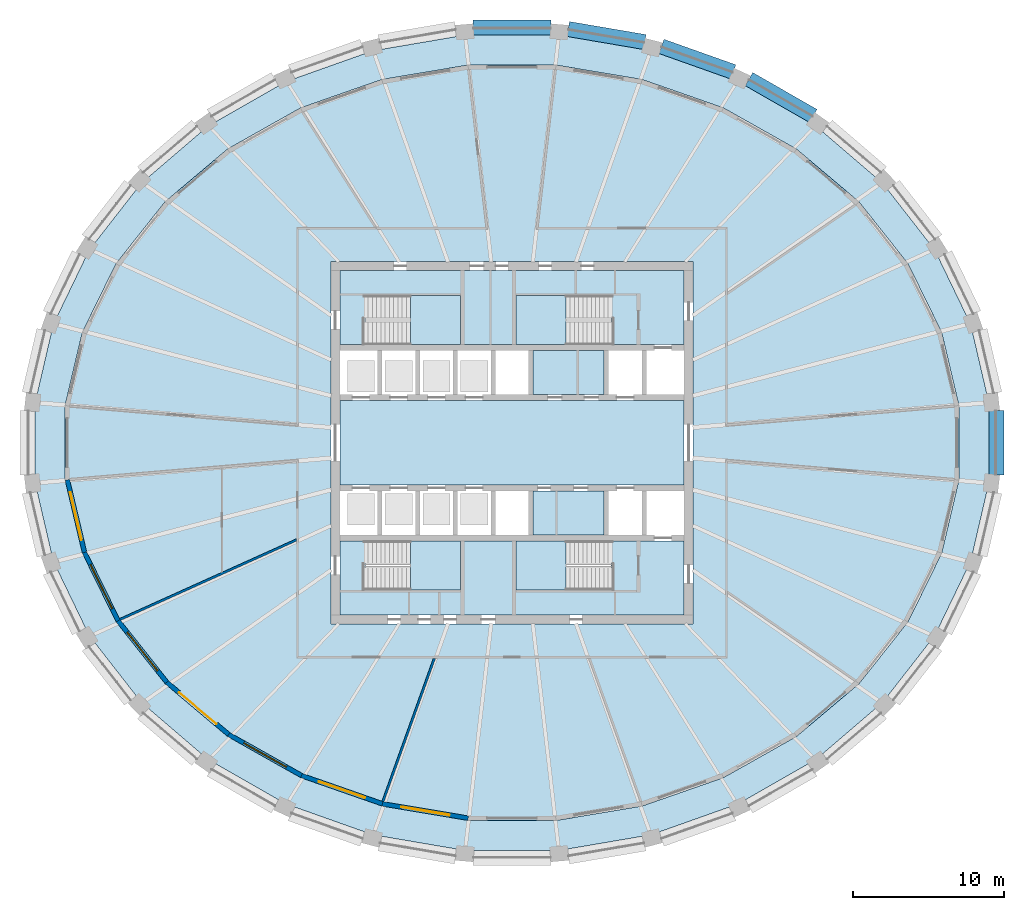
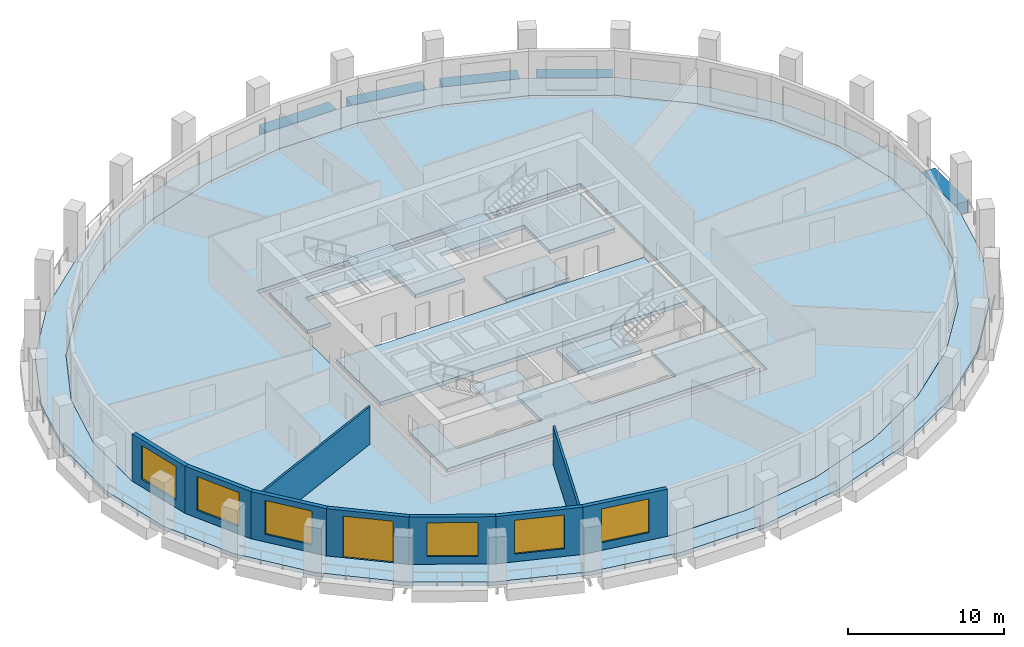
# One storey, part 2 of 10: 11 slabs, 9 walls, 6 windows, 5 beams, 1 door, 7 openings, 4 elements without a shape of their own.
"""IFC4 building model written with IfcOpenShell, lengths in metres."""

from ifc_helpers import new_model, si_unit, direction, frame, frame_2d, origin, origin_2d, place, context, subcontext, project, spatial, polyline, rectangle, outline, extrude, material, layer, layer_set, material_profile, profile_set, type_object, element, fill, aggregate, save


model = new_model("IFC4")

# Units and contexts
model_context = context("Model", 3, precision=1e-05, world=origin(), true_north=direction((0.0, 1.0)))
body_context = subcontext(model_context, "Body", "Model", "MODEL_VIEW")
ifc_project = project(units=[si_unit("LENGTHUNIT", "METRE"), si_unit("AREAUNIT", "SQUARE_METRE"), si_unit("VOLUMEUNIT", "CUBIC_METRE"), si_unit("PLANEANGLEUNIT", "RADIAN"), si_unit("MASSUNIT", "GRAM", prefix="KILO")], contexts=[model_context])

# Site, building, storey
site_placement = place(None, origin())
site = spatial("IfcSite", under=ifc_project, at=site_placement, CompositionType="ELEMENT")
building_placement = place(site_placement, origin())
building = spatial("IfcBuilding", under=site, at=building_placement, Name="Halqa Exchange Tower", CompositionType="ELEMENT")
storey_placement = place(building_placement, frame((0.0, 0.0, 210.89990234375)))
storey = spatial("IfcBuildingStorey", under=building, at=storey_placement, Name="L48", CompositionType="ELEMENT", Elevation=210.89990234375)

# Beams
ifc_material_1 = material(Name="Concrete C60/75", Category="concrete")
ifc_material_profile = material_profile(ifc_material_1, rectangle(XDim=1.0, YDim=0.89990234375, at=origin_2d()), Name="1000 x 900")
ifc_profile_set = profile_set([ifc_material_profile], Name="Concrete C60/75")
beam_type = type_object("IfcBeamType", Name="RC spandrel beam 1000 x 900 C60/75", PredefinedType="SPANDREL", material=ifc_profile_set)
beam_1_placement = place(storey_placement, frame((19.951416015625, 21.6455078125, -0.449951171875), z_axis=(-0.867758828844, 0.496985527921, 0.0), x_axis=(-0.496985527921, -0.867758828844, 0.0)))
element("IfcBeam", 1, at=beam_1_placement, inside=storey, type_object=beam_type, Name="Spandrel 5", PredefinedType="SPANDREL", context=body_context, shape_type="SweptSolid", body=[
    extrude(rectangle(XDim=1.0, YDim=0.89990234375, at=origin_2d()), origin(), (0.0, 0.0, 1.0), 4.905517578125),
])
beam_2_placement = place(storey_placement, frame((14.656005859375, 24.560546875, -0.449951171875), z_axis=(-0.942356423525, 0.334610775442, 0.0), x_axis=(-0.334610775442, -0.942356423525, 0.0)))
element("IfcBeam", 2, at=beam_2_placement, inside=storey, type_object=beam_type, Name="Spandrel 6", PredefinedType="SPANDREL", context=body_context, shape_type="SweptSolid", body=[
    extrude(rectangle(XDim=1.0, YDim=0.89990234375, at=origin_2d()), origin(), (0.0, 0.0, 1.0), 5.047607421875),
])
beam_3_placement = place(storey_placement, frame((8.7919921875, 26.5380859375, -0.449951171875), z_axis=(-0.985769464363, 0.168102834982, 0.0), x_axis=(-0.168102834982, -0.985769464363, 0.0)))
element("IfcBeam", 3, at=beam_3_placement, inside=storey, type_object=beam_type, Name="Spandrel 7", PredefinedType="SPANDREL", context=body_context, shape_type="SweptSolid", body=[
    extrude(rectangle(XDim=1.0, YDim=0.89990234375, at=origin_2d()), origin(), (0.0, 0.0, 1.0), 5.139892578125),
])
beam_4_placement = place(storey_placement, frame((2.586181640625, 27.498291015625, -0.449951171875), z_axis=(-1.0, 0.0, 0.0), x_axis=(0.0, -1.0, 0.0)))
element("IfcBeam", 4, at=beam_4_placement, inside=storey, type_object=beam_type, Name="Spandrel 8", PredefinedType="SPANDREL", context=body_context, shape_type="SweptSolid", body=[
    extrude(rectangle(XDim=1.0, YDim=0.89990234375, at=origin_2d()), origin(), (0.0, 0.0, 1.0), 5.17236328125),
])
beam_5_placement = place(storey_placement, frame((32.08154296875, -2.131591796875, -0.449951171875), z_axis=(0.0, 1.0, 0.0), x_axis=(-1.0, 0.0, 0.0)))
element("IfcBeam", 5, at=beam_5_placement, inside=storey, type_object=beam_type, Name="Spandrel 32", PredefinedType="SPANDREL", context=body_context, shape_type="SweptSolid", body=[
    extrude(rectangle(XDim=1.0, YDim=0.89990234375, at=origin_2d()), origin(), (0.0, 0.0, 1.0), 4.26318359375),
])

# Slabs
ifc_layer_1 = layer(ifc_material_1, 0.300048828125)
ifc_layer_set_1 = layer_set([ifc_layer_1], Name="Concrete C60/75")
slab_type_1 = type_object("IfcSlabType", Name="Core floor slab 300", PredefinedType="FLOOR", material=ifc_layer_set_1)
slab_1_placement = place(storey_placement, frame((0.0, 0.0, -0.2998046875)))
element("IfcSlab", 6, at=slab_1_placement, inside=storey, type_object=slab_type_1, Name="Core floor slab", PredefinedType="FLOOR", context=body_context, shape_type="SweptSolid", body=[
    extrude(outline(polyline([(-11.39990234375, 2.800048828125), (11.39990234375, 2.800048828125), (11.39990234375, -2.800048828125), (-11.39990234375, -2.800048828125), (-11.39990234375, 2.800048828125)])), origin(), (0.0, 0.0, 1.0), 0.2998046875),
])
slab_2_placement = place(storey_placement, frame((0.0, 0.0, -0.2998046875)))
element("IfcSlab", 7, at=slab_2_placement, inside=storey, type_object=slab_type_1, Name="Core floor slab", PredefinedType="FLOOR", context=body_context, shape_type="SweptSolid", body=[
    extrude(outline(polyline([(-11.39990234375, 11.39990234375), (11.39990234375, 11.39990234375), (11.39990234375, 6.5), (6.550048828125, 6.5), (6.550048828125, 9.75), (0.25, 9.75), (0.25, 6.5), (-3.39990234375, 6.5), (-3.39990234375, 9.75), (-9.699951171875, 9.75), (-9.699951171875, 6.5), (-11.39990234375, 6.5), (-11.39990234375, 11.39990234375)])), origin(), (0.0, 0.0, 1.0), 0.2998046875),
])
slab_3_placement = place(storey_placement, frame((0.0, 0.0, -0.2998046875)))
element("IfcSlab", 8, at=slab_3_placement, inside=storey, type_object=slab_type_1, Name="Core floor slab", PredefinedType="FLOOR", context=body_context, shape_type="SweptSolid", body=[
    extrude(outline(polyline([(-9.699951171875, -9.75), (-3.39990234375, -9.75), (-3.39990234375, -6.5), (0.25, -6.5), (0.25, -9.75), (6.550048828125, -9.75), (6.550048828125, -6.5), (11.39990234375, -6.5), (11.39990234375, -11.39990234375), (-11.39990234375, -11.39990234375), (-11.39990234375, -6.5), (-9.699951171875, -6.5), (-9.699951171875, -9.75)])), origin(), (0.0, 0.0, 1.0), 0.2998046875),
])
slab_4_placement = place(storey_placement, frame((0.0, 0.0, -0.2998046875)))
element("IfcSlab", 9, at=slab_4_placement, inside=storey, type_object=slab_type_1, Name="Core floor slab", PredefinedType="FLOOR", context=body_context, shape_type="SweptSolid", body=[
    extrude(outline(polyline([(6.10009765625, -3.199951171875), (6.10009765625, -6.10009765625), (1.39990234375, -6.10009765625), (1.39990234375, -3.199951171875), (6.10009765625, -3.199951171875)])), origin(), (0.0, 0.0, 1.0), 0.2998046875),
])
slab_5_placement = place(storey_placement, frame((0.0, 0.0, -0.2998046875)))
element("IfcSlab", 10, at=slab_5_placement, inside=storey, type_object=slab_type_1, Name="Core floor slab", PredefinedType="FLOOR", context=body_context, shape_type="SweptSolid", body=[
    extrude(outline(polyline([(6.10009765625, 6.10009765625), (6.10009765625, 3.199951171875), (1.39990234375, 3.199951171875), (1.39990234375, 6.10009765625), (6.10009765625, 6.10009765625)])), origin(), (0.0, 0.0, 1.0), 0.2998046875),
])
ifc_material_2 = material(Name="Concrete C40/50", Category="concrete")
ifc_layer_2 = layer(ifc_material_2, 0.300048828125)
ifc_layer_set_2 = layer_set([ifc_layer_2], Name="Concrete C40/50")
slab_type_2 = type_object("IfcSlabType", Name="RC floor slab 300", PredefinedType="FLOOR", material=ifc_layer_set_2)
slab_6_placement = place(storey_placement, frame((0.0, 0.0, -0.2998046875)))
element("IfcSlab", 11, at=slab_6_placement, inside=storey, type_object=slab_type_2, Name="Floor slab", PredefinedType="FLOOR", context=body_context, shape_type="SweptSolid", body=[
    extrude(outline(polyline([(29.59521484375, 2.46875), (28.45361328125, 7.31005859375), (26.216064453125, 11.86669921875), (22.971435546875, 15.962890625), (18.846435546875, 19.4423828125), (14.00048828125, 22.173828125), (8.619873046875, 24.053955078125), (2.910400390625, 25.011962890625), (-2.910400390625, 25.011962890625), (-8.619873046875, 24.053955078125), (-14.00048828125, 22.173828125), (-18.846435546875, 19.4423828125), (-22.971435546875, 15.962890625), (-26.216064453125, 11.86669921875), (-28.45361328125, 7.31005859375), (-29.59521484375, 2.46875), (-29.59521484375, -2.46875), (-28.45361328125, -7.31005859375), (-26.216064453125, -11.86669921875), (-22.971435546875, -15.962890625), (-18.846435546875, -19.4423828125), (-14.00048828125, -22.173828125), (-8.619873046875, -24.053955078125), (-2.910400390625, -25.011962890625), (2.910400390625, -25.011962890625), (8.619873046875, -24.053955078125), (14.00048828125, -22.173828125), (18.846435546875, -19.4423828125), (22.971435546875, -15.962890625), (26.216064453125, -11.86669921875), (28.45361328125, -7.31005859375), (29.59521484375, -2.46875), (29.59521484375, 2.46875)]), holes=[polyline([(-12.0, -12.0), (12.0, -12.0), (12.0, 12.0), (-12.0, 12.0), (-12.0, -12.0)])]), origin(), (0.0, 0.0, 1.0), 0.2998046875),
])
ifc_layer_3 = layer(ifc_material_2, 0.300048828125)
ifc_layer_set_3 = layer_set([ifc_layer_3], Name="Concrete C40/50")
slab_type_3 = type_object("IfcSlabType", Name="RC loggia slab 300", PredefinedType="FLOOR", material=ifc_layer_set_3)
slab_7_placement = place(storey_placement, frame((0.0, 0.0, -0.2998046875)))
element("IfcSlab", 12, at=slab_7_placement, inside=storey, type_object=slab_type_3, Name="Loggia slab", PredefinedType="FLOOR", context=body_context, shape_type="SweptSolid", body=[
    extrude(outline(polyline([(31.58154296875, 2.651123046875), (31.58154296875, -2.651123046875), (30.374267578125, -7.853759765625), (28.00341796875, -12.760009765625), (24.555908203125, -17.18212890625), (20.161376953125, -20.948974609375), (14.98681640625, -23.91259765625), (9.231201171875, -25.9560546875), (3.117431640625, -26.998291015625), (-3.117431640625, -26.998291015625), (-9.231201171875, -25.9560546875), (-14.98681640625, -23.91259765625), (-20.161376953125, -20.948974609375), (-24.555908203125, -17.18212890625), (-28.00341796875, -12.760009765625), (-30.374267578125, -7.853759765625), (-31.58154296875, -2.651123046875), (-31.58154296875, 2.651123046875), (-30.374267578125, 7.853759765625), (-28.00341796875, 12.760009765625), (-24.555908203125, 17.18212890625), (-20.161376953125, 20.948974609375), (-14.98681640625, 23.91259765625), (-9.231201171875, 25.9560546875), (-3.117431640625, 26.998291015625), (3.117431640625, 26.998291015625), (9.231201171875, 25.9560546875), (14.98681640625, 23.91259765625), (20.161376953125, 20.948974609375), (24.555908203125, 17.18212890625), (28.00341796875, 12.760009765625), (30.374267578125, 7.853759765625), (31.58154296875, 2.651123046875)]), holes=[polyline([(29.59521484375, 2.46875), (28.45361328125, 7.31005859375), (26.216064453125, 11.86669921875), (22.971435546875, 15.962890625), (18.846435546875, 19.4423828125), (14.00048828125, 22.173828125), (8.619873046875, 24.053955078125), (2.910400390625, 25.011962890625), (-2.910400390625, 25.011962890625), (-8.619873046875, 24.053955078125), (-14.00048828125, 22.173828125), (-18.846435546875, 19.4423828125), (-22.971435546875, 15.962890625), (-26.216064453125, 11.86669921875), (-28.45361328125, 7.31005859375), (-29.59521484375, 2.46875), (-29.59521484375, -2.46875), (-28.45361328125, -7.31005859375), (-26.216064453125, -11.86669921875), (-22.971435546875, -15.962890625), (-18.846435546875, -19.4423828125), (-14.00048828125, -22.173828125), (-8.619873046875, -24.053955078125), (-2.910400390625, -25.011962890625), (2.910400390625, -25.011962890625), (8.619873046875, -24.053955078125), (14.00048828125, -22.173828125), (18.846435546875, -19.4423828125), (22.971435546875, -15.962890625), (26.216064453125, -11.86669921875), (28.45361328125, -7.31005859375), (29.59521484375, -2.46875), (29.59521484375, 2.46875)])]), origin(), (0.0, 0.0, 1.0), 0.2998046875),
])

# Stair, slab
ifc_material_3 = material(Name="Concrete C30/37", Category="concrete")
stair_type = type_object("IfcStairType", Name="Exit stair 1500 wide", PredefinedType="HALF_TURN_STAIR", material=ifc_material_3)
stair_1_placement = place(storey_placement, origin())
stair_1 = element("IfcStair", 13, at=stair_1_placement, inside=storey, type_object=stair_type, Name="Exit stair ST1", PredefinedType="HALF_TURN_STAIR")
ifc_layer_4 = layer(ifc_material_3, 0.199951171875)
ifc_layer_set_4 = layer_set([ifc_layer_4], Name="Concrete C30/37")
slab_type_4 = type_object("IfcSlabType", Name="Stair landing 200 slab", PredefinedType="LANDING", material=ifc_layer_set_4)
slab_8_placement = place(storey_placement, frame((0.0, 0.0, 1.800048828125)))
slab_8 = element("IfcSlab", 14, at=slab_8_placement, type_object=slab_type_4, Name="ST1 landing 1", PredefinedType="LANDING", context=body_context, shape_type="SweptSolid", body=[
    extrude(outline(polyline([(-6.719970703125, 6.5), (-3.39990234375, 6.5), (-3.39990234375, 9.75), (-6.719970703125, 9.75), (-6.719970703125, 6.5)])), origin(), (0.0, 0.0, 1.0), 0.199951171875),
])
aggregate(stair_1, [slab_8])

stair_2_placement = place(storey_placement, origin())
stair_2 = element("IfcStair", 15, at=stair_2_placement, inside=storey, type_object=stair_type, Name="Exit stair ST2", PredefinedType="HALF_TURN_STAIR")
slab_9_placement = place(storey_placement, frame((0.0, 0.0, 1.800048828125)))
slab_9 = element("IfcSlab", 16, at=slab_9_placement, type_object=slab_type_4, Name="ST2 landing 1", PredefinedType="LANDING", context=body_context, shape_type="SweptSolid", body=[
    extrude(outline(polyline([(0.25, 6.5), (3.570068359375, 6.5), (3.570068359375, 9.75), (0.25, 9.75), (0.25, 6.5)])), origin(), (0.0, 0.0, 1.0), 0.199951171875),
])
aggregate(stair_2, [slab_9])

stair_3_placement = place(storey_placement, origin())
stair_3 = element("IfcStair", 17, at=stair_3_placement, inside=storey, type_object=stair_type, Name="Exit stair ST3", PredefinedType="HALF_TURN_STAIR")
slab_10_placement = place(storey_placement, frame((0.0, 0.0, 1.800048828125)))
slab_10 = element("IfcSlab", 18, at=slab_10_placement, type_object=slab_type_4, Name="ST3 landing 1", PredefinedType="LANDING", context=body_context, shape_type="SweptSolid", body=[
    extrude(outline(polyline([(-6.719970703125, -9.75), (-3.39990234375, -9.75), (-3.39990234375, -6.5), (-6.719970703125, -6.5), (-6.719970703125, -9.75)])), origin(), (0.0, 0.0, 1.0), 0.199951171875),
])
aggregate(stair_3, [slab_10])

stair_4_placement = place(storey_placement, origin())
stair_4 = element("IfcStair", 19, at=stair_4_placement, inside=storey, type_object=stair_type, Name="Exit stair ST4", PredefinedType="HALF_TURN_STAIR")
slab_11_placement = place(storey_placement, frame((0.0, 0.0, 1.800048828125)))
slab_11 = element("IfcSlab", 20, at=slab_11_placement, type_object=slab_type_4, Name="ST4 landing 1", PredefinedType="LANDING", context=body_context, shape_type="SweptSolid", body=[
    extrude(outline(polyline([(0.25, -9.75), (3.570068359375, -9.75), (3.570068359375, -6.5), (0.25, -6.5), (0.25, -9.75)])), origin(), (0.0, 0.0, 1.0), 0.199951171875),
])
aggregate(stair_4, [slab_11])

# Walls
ifc_material_4 = material(Name="Fire-rated gypsum board")
ifc_layer_5 = layer(ifc_material_4, 0.14990234375)
ifc_layer_set_5 = layer_set([ifc_layer_5], Name="Fire-rated gypsum board")
wall_type_1 = type_object("IfcWallType", Name="Fire partition EI 60 150", PredefinedType="PARTITIONING", material=ifc_layer_set_5)
wall_1_placement = place(storey_placement, frame((-25.96337890625, -11.705078125, 0.0), z_axis=(0.0, 0.0, 1.0), x_axis=(0.911586477794, 0.41110837197, 0.0)))
element("IfcWall", 21, at=wall_1_placement, inside=storey, type_object=wall_type_1, Name="L48-PWL-003", PredefinedType="PARTITIONING", context=body_context, shape_type="SweptSolid", body=[
    extrude(outline(polyline([(0.0205078125, -0.074951171875), (1.844482421875, -0.074951171875), (3.66845703125, -0.074951171875), (5.492431640625, -0.074951171875), (7.31640625, -0.074951171875), (9.140380859375, -0.074951171875), (10.96435546875, -0.074951171875), (12.788330078125, -0.074951171875), (12.855712890625, 0.074951171875), (11.0732421875, 0.074951171875), (9.29052734375, 0.074951171875), (7.508056640625, 0.074951171875), (7.507080078125, 0.07275390625), (7.502197265625, 0.074951171875), (5.626708984375, 0.074951171875), (3.751220703125, 0.074951171875), (1.87548828125, 0.074951171875), (0.0, 0.074951171875), (0.0, 0.06201171875), (0.002197265625, -0.00146484375), (0.0205078125, -0.074951171875)])), origin(), (0.0, 0.0, 1.0), 2.947021484375),
])
wall_2_placement = place(storey_placement, frame((-5.1279296875, -14.25, 0.0), z_axis=(0.0, 0.0, 1.0), x_axis=(-0.338529589418, -0.940955746615, 0.0)))
element("IfcWall", 22, at=wall_2_placement, inside=storey, type_object=wall_type_1, Name="L48-PWL-011", PredefinedType="PARTITIONING", context=body_context, shape_type="SweptSolid", body=[
    extrude(outline(polyline([(10.108154296875, -0.074951171875), (10.108154296875, -0.07177734375), (10.107421875, 0.0048828125), (10.0947265625, 0.074951171875), (8.412353515625, 0.074951171875), (6.729736328125, 0.074951171875), (5.04736328125, 0.074951171875), (3.364990234375, 0.074951171875), (1.682373046875, 0.074951171875), (0.0, 0.074951171875), (0.0, 0.07373046875), (0.053466796875, -0.074951171875), (1.729248046875, -0.074951171875), (3.405029296875, -0.074951171875), (5.080810546875, -0.074951171875), (6.756591796875, -0.074951171875), (8.432373046875, -0.074951171875), (10.108154296875, -0.074951171875)])), origin(), (0.0, 0.0, 1.0), 2.947021484375),
])

# Wall, opening, window
ifc_material_5 = material(Name="Limestone cladding", Category="masonry")
ifc_layer_6 = layer(ifc_material_5, 0.0400390625)
ifc_material_6 = material(Name="Ventilated cavity")
ifc_layer_7 = layer(ifc_material_6, 0.030029296875, ventilated=True)
ifc_material_7 = material(Name="Mineral wool insulation")
ifc_layer_8 = layer(ifc_material_7, 0.10009765625)
ifc_layer_9 = layer(ifc_material_3, 0.10009765625)
ifc_material_8 = material(Name="Internal plaster")
ifc_layer_10 = layer(ifc_material_8, 0.030029296875)
ifc_layer_set_6 = layer_set([ifc_layer_6, ifc_layer_7, ifc_layer_8, ifc_layer_9, ifc_layer_10], Name="Stone-faced insulated wall 300")
wall_type_2 = type_object("IfcWallType", Name="Stone-faced insulated wall 300", PredefinedType="STANDARD", material=ifc_layer_set_6)
wall_3_placement = place(storey_placement, frame((-29.445068359375, -2.451416015625, 0.0), z_axis=(0.0, 0.0, 1.0), x_axis=(0.229535186351, -0.973300363828, 0.0)))
wall_3 = element("IfcWall", 23, at=wall_3_placement, inside=storey, type_object=wall_type_2, Name="Glass-line wall 17", PredefinedType="STANDARD", context=body_context, shape_type="SweptSolid", body=[
    extrude(outline(polyline([(-0.017333984375, -0.14990234375), (4.956298828125, -0.14990234375), (4.922607421875, 0.14990234375), (0.017333984375, 0.14990234375), (-0.017333984375, -0.14990234375)])), origin(), (0.0, 0.0, 1.0), 3.7001953125),
])
opening_1_placement = place(wall_3_placement, frame((0.8447265625, 0.0, 0.60009765625)))
opening_1 = element("IfcOpeningElement", 24, at=opening_1_placement, cuts=wall_3, Name="Opening W-F3-17", PredefinedType="OPENING", context=body_context, shape_type="SweptSolid", body=[
    extrude(rectangle(XDim=3.25, YDim=2.64990234375, at=frame_2d((1.625, 1.324951171875))), frame((0.0, 0.162109375, 0.0), z_axis=(0.0, -1.0, 0.0), x_axis=(1.0, 0.0, 0.0)), (0.0, 0.0, 1.0), 0.323974609375),
])
ifc_material_9 = material(Name="Clear low-emissivity glass in aluminium frame", Category="aluminium")
window_type = type_object("IfcWindowType", Name="Fixed clear glazed window 3250 x 2650", PartitioningType="TRIPLE_PANEL_VERTICAL", PredefinedType="WINDOW", material=ifc_material_9)
window_1_placement = place(opening_1_placement, origin())
window_1 = element("IfcWindow", 25, at=window_1_placement, inside=storey, type_object=window_type, Name="Window 3", OverallHeight=2.64990234375, OverallWidth=3.25, PartitioningType="TRIPLE_PANEL_VERTICAL", PredefinedType="WINDOW", context=body_context, shape_type="SweptSolid", body=[
    extrude(rectangle(XDim=3.25, YDim=2.64990234375, at=frame_2d((1.625, 1.324951171875))), frame((0.0, 0.030029296875, 0.0), z_axis=(0.0, -1.0, 0.0), x_axis=(1.0, 0.0, 0.0)), (0.0, 0.0, 1.0), 0.06005859375),
])
fill(opening_1, window_1)

wall_4_placement = place(storey_placement, frame((-28.311279296875, -7.259033203125, 0.0), z_axis=(0.0, 0.0, 1.0), x_axis=(0.440773193145, -0.89761851151, 0.0)))
wall_4 = element("IfcWall", 26, at=wall_4_placement, inside=storey, type_object=wall_type_2, Name="Glass-line wall 18", PredefinedType="STANDARD", context=body_context, shape_type="SweptSolid", body=[
    extrude(outline(polyline([(-0.016845703125, -0.14990234375), (5.059326171875, -0.14990234375), (5.027099609375, 0.14990234375), (0.016845703125, 0.14990234375), (-0.016845703125, -0.14990234375)])), origin(), (0.0, 0.0, 1.0), 3.7001953125),
])
opening_2_placement = place(wall_4_placement, frame((0.896484375, 0.0, 0.60009765625)))
opening_2 = element("IfcOpeningElement", 27, at=opening_2_placement, cuts=wall_4, Name="Opening W-F3-18", PredefinedType="OPENING", context=body_context, shape_type="SweptSolid", body=[
    extrude(rectangle(XDim=3.25, YDim=2.64990234375, at=frame_2d((1.625, 1.324951171875))), frame((0.0, 0.162109375, 0.0), z_axis=(0.0, -1.0, 0.0), x_axis=(1.0, 0.0, 0.0)), (0.0, 0.0, 1.0), 0.323974609375),
])
window_2_placement = place(opening_2_placement, origin())
window_2 = element("IfcWindow", 28, at=window_2_placement, inside=storey, type_object=window_type, Name="Window 3", OverallHeight=2.64990234375, OverallWidth=3.25, PartitioningType="TRIPLE_PANEL_VERTICAL", PredefinedType="WINDOW", context=body_context, shape_type="SweptSolid", body=[
    extrude(rectangle(XDim=3.25, YDim=2.64990234375, at=frame_2d((1.625, 1.324951171875))), frame((0.0, 0.030029296875, 0.0), z_axis=(0.0, -1.0, 0.0), x_axis=(1.0, 0.0, 0.0)), (0.0, 0.0, 1.0), 0.06005859375),
])
fill(opening_2, window_2)

wall_5_placement = place(storey_placement, frame((-26.08837890625, -11.785888671875, 0.0), z_axis=(0.0, 0.0, 1.0), x_axis=(0.620870264345, -0.783913333763, 0.0)))
wall_5 = element("IfcWall", 29, at=wall_5_placement, inside=storey, type_object=wall_type_2, Name="Glass-line wall 19", PredefinedType="STANDARD", context=body_context, shape_type="SweptSolid", body=[
    extrude(outline(polyline([(-0.01611328125, -0.14990234375), (5.209716796875, -0.14990234375), (5.179443359375, 0.14990234375), (0.01611328125, 0.14990234375), (-0.01611328125, -0.14990234375)])), origin(), (0.0, 0.0, 1.0), 3.7001953125),
])
opening_3_placement = place(wall_5_placement, frame((0.97216796875, 0.0, 0.60009765625)))
opening_3 = element("IfcOpeningElement", 30, at=opening_3_placement, cuts=wall_5, Name="Opening W-F3-19", PredefinedType="OPENING", context=body_context, shape_type="SweptSolid", body=[
    extrude(rectangle(XDim=3.25, YDim=2.64990234375, at=frame_2d((1.625, 1.324951171875))), frame((0.0, 0.162109375, 0.0), z_axis=(0.0, -1.0, 0.0), x_axis=(1.0, 0.0, 0.0)), (0.0, 0.0, 1.0), 0.323974609375),
])
window_3_placement = place(opening_3_placement, origin())
window_3 = element("IfcWindow", 31, at=window_3_placement, inside=storey, type_object=window_type, Name="Window 3", OverallHeight=2.64990234375, OverallWidth=3.25, PartitioningType="TRIPLE_PANEL_VERTICAL", PredefinedType="WINDOW", context=body_context, shape_type="SweptSolid", body=[
    extrude(rectangle(XDim=3.25, YDim=2.64990234375, at=frame_2d((1.625, 1.324951171875))), frame((0.0, 0.030029296875, 0.0), z_axis=(0.0, -1.0, 0.0), x_axis=(1.0, 0.0, 0.0)), (0.0, 0.0, 1.0), 0.06005859375),
])
fill(opening_3, window_3)

# Wall, opening, door
wall_6_placement = place(storey_placement, frame((-22.86328125, -15.85791015625, 0.0), z_axis=(0.0, 0.0, 1.0), x_axis=(0.764386053229, -0.6447588399, 0.0)))
wall_6 = element("IfcWall", 32, at=wall_6_placement, inside=storey, type_object=wall_type_2, Name="Glass-line wall 20", PredefinedType="STANDARD", context=body_context, shape_type="SweptSolid", body=[
    extrude(outline(polyline([(-0.01513671875, -0.14990234375), (5.381591796875, -0.14990234375), (5.353271484375, 0.14990234375), (0.01513671875, 0.14990234375), (-0.01513671875, -0.14990234375)])), origin(), (0.0, 0.0, 1.0), 3.7001953125),
])
opening_4_placement = place(wall_6_placement, frame((1.058837890625, 0.0, 0.0)))
opening_4 = element("IfcOpeningElement", 33, at=opening_4_placement, cuts=wall_6, Name="Opening LG-F3-05", PredefinedType="OPENING", context=body_context, shape_type="SweptSolid", body=[
    extrude(rectangle(XDim=3.25, YDim=3.25, at=frame_2d((1.625, 1.625))), frame((0.0, 0.162109375, 0.0), z_axis=(0.0, -1.0, 0.0), x_axis=(1.0, 0.0, 0.0)), (0.0, 0.0, 1.0), 0.323974609375),
])
door_type = type_object("IfcDoorType", Name="Glazed sliding loggia door 3250 x 3250", OperationType="DOUBLE_DOOR_SLIDING", PredefinedType="DOOR", material=ifc_material_9)
door_placement = place(opening_4_placement, origin())
door = element("IfcDoor", 34, at=door_placement, inside=storey, type_object=door_type, Name="Loggia door 5", OperationType="DOUBLE_DOOR_SLIDING", OverallHeight=3.25, OverallWidth=3.25, PredefinedType="DOOR", context=body_context, shape_type="SweptSolid", body=[
    extrude(rectangle(XDim=3.25, YDim=3.25, at=frame_2d((1.625, 1.625))), frame((0.0, 0.02490234375, 0.0), z_axis=(0.0, -1.0, 0.0), x_axis=(1.0, 0.0, 0.0)), (0.0, 0.0, 1.0), 0.050048828125),
])
fill(opening_4, door)

# Wall, opening, window
wall_7_placement = place(storey_placement, frame((-18.760498046875, -19.318603515625, 0.0), z_axis=(0.0, 0.0, 1.0), x_axis=(0.871140546168, -0.491033755278, 0.0)))
wall_7 = element("IfcWall", 35, at=wall_7_placement, inside=storey, type_object=wall_type_2, Name="Glass-line wall 21", PredefinedType="STANDARD", context=body_context, shape_type="SweptSolid", body=[
    extrude(outline(polyline([(-0.01416015625, -0.14990234375), (5.548828125, -0.14990234375), (5.52197265625, 0.14990234375), (0.01416015625, 0.14990234375), (-0.01416015625, -0.14990234375)])), origin(), (0.0, 0.0, 1.0), 3.7001953125),
])
opening_5_placement = place(wall_7_placement, frame((1.142578125, 0.0, 0.60009765625)))
opening_5 = element("IfcOpeningElement", 36, at=opening_5_placement, cuts=wall_7, Name="Opening W-F3-21", PredefinedType="OPENING", context=body_context, shape_type="SweptSolid", body=[
    extrude(rectangle(XDim=3.25, YDim=2.64990234375, at=frame_2d((1.625, 1.324951171875))), frame((0.0, 0.162109375, 0.0), z_axis=(0.0, -1.0, 0.0), x_axis=(1.0, 0.0, 0.0)), (0.0, 0.0, 1.0), 0.323974609375),
])
window_4_placement = place(opening_5_placement, origin())
window_4 = element("IfcWindow", 37, at=window_4_placement, inside=storey, type_object=window_type, Name="Window 3", OverallHeight=2.64990234375, OverallWidth=3.25, PartitioningType="TRIPLE_PANEL_VERTICAL", PredefinedType="WINDOW", context=body_context, shape_type="SweptSolid", body=[
    extrude(rectangle(XDim=3.25, YDim=2.64990234375, at=frame_2d((1.625, 1.324951171875))), frame((0.0, 0.030029296875, 0.0), z_axis=(0.0, -1.0, 0.0), x_axis=(1.0, 0.0, 0.0)), (0.0, 0.0, 1.0), 0.06005859375),
])
fill(opening_5, window_4)

wall_8_placement = place(storey_placement, frame((-13.9384765625, -22.03662109375, 0.0), z_axis=(0.0, 0.0, 1.0), x_axis=(0.944023272224, -0.329878858824, 0.0)))
wall_8 = element("IfcWall", 38, at=wall_8_placement, inside=storey, type_object=wall_type_2, Name="Glass-line wall 22", PredefinedType="STANDARD", context=body_context, shape_type="SweptSolid", body=[
    extrude(outline(polyline([(-0.013427734375, -0.14990234375), (5.686279296875, -0.14990234375), (5.660888671875, 0.14990234375), (0.013427734375, 0.14990234375), (-0.013427734375, -0.14990234375)])), origin(), (0.0, 0.0, 1.0), 3.7001953125),
])
opening_6_placement = place(wall_8_placement, frame((1.2119140625, 0.0, 0.60009765625)))
opening_6 = element("IfcOpeningElement", 39, at=opening_6_placement, cuts=wall_8, Name="Opening W-F3-22", PredefinedType="OPENING", context=body_context, shape_type="SweptSolid", body=[
    extrude(rectangle(XDim=3.25, YDim=2.64990234375, at=frame_2d((1.625, 1.324951171875))), frame((0.0, 0.162109375, 0.0), z_axis=(0.0, -1.0, 0.0), x_axis=(1.0, 0.0, 0.0)), (0.0, 0.0, 1.0), 0.323974609375),
])
window_5_placement = place(opening_6_placement, origin())
window_5 = element("IfcWindow", 40, at=window_5_placement, inside=storey, type_object=window_type, Name="Window 3", OverallHeight=2.64990234375, OverallWidth=3.25, PartitioningType="TRIPLE_PANEL_VERTICAL", PredefinedType="WINDOW", context=body_context, shape_type="SweptSolid", body=[
    extrude(rectangle(XDim=3.25, YDim=2.64990234375, at=frame_2d((1.625, 1.324951171875))), frame((0.0, 0.030029296875, 0.0), z_axis=(0.0, -1.0, 0.0), x_axis=(1.0, 0.0, 0.0)), (0.0, 0.0, 1.0), 0.06005859375),
])
fill(opening_6, window_5)

wall_9_placement = place(storey_placement, frame((-8.58251953125, -23.908203125, 0.0), z_axis=(0.0, 0.0, 1.0), x_axis=(0.98622052717, -0.165436005116, 0.0)))
wall_9 = element("IfcWall", 41, at=wall_9_placement, inside=storey, type_object=wall_type_2, Name="Glass-line wall 23", PredefinedType="STANDARD", context=body_context, shape_type="SweptSolid", body=[
    extrude(outline(polyline([(-0.0126953125, -0.14990234375), (5.776611328125, -0.14990234375), (5.751708984375, 0.14990234375), (0.0126953125, 0.14990234375), (-0.0126953125, -0.14990234375)])), origin(), (0.0, 0.0, 1.0), 3.7001953125),
])
opening_7_placement = place(wall_9_placement, frame((1.257080078125, 0.0, 0.60009765625)))
opening_7 = element("IfcOpeningElement", 42, at=opening_7_placement, cuts=wall_9, Name="Opening W-F3-23", PredefinedType="OPENING", context=body_context, shape_type="SweptSolid", body=[
    extrude(rectangle(XDim=3.25, YDim=2.64990234375, at=frame_2d((1.625, 1.324951171875))), frame((0.0, 0.162109375, 0.0), z_axis=(0.0, -1.0, 0.0), x_axis=(1.0, 0.0, 0.0)), (0.0, 0.0, 1.0), 0.323974609375),
])
window_6_placement = place(opening_7_placement, origin())
window_6 = element("IfcWindow", 43, at=window_6_placement, inside=storey, type_object=window_type, Name="Window 3", OverallHeight=2.64990234375, OverallWidth=3.25, PartitioningType="TRIPLE_PANEL_VERTICAL", PredefinedType="WINDOW", context=body_context, shape_type="SweptSolid", body=[
    extrude(rectangle(XDim=3.25, YDim=2.64990234375, at=frame_2d((1.625, 1.324951171875))), frame((0.0, 0.030029296875, 0.0), z_axis=(0.0, -1.0, 0.0), x_axis=(1.0, 0.0, 0.0)), (0.0, 0.0, 1.0), 0.06005859375),
])
fill(opening_7, window_6)

save(model, "model.ifc")
